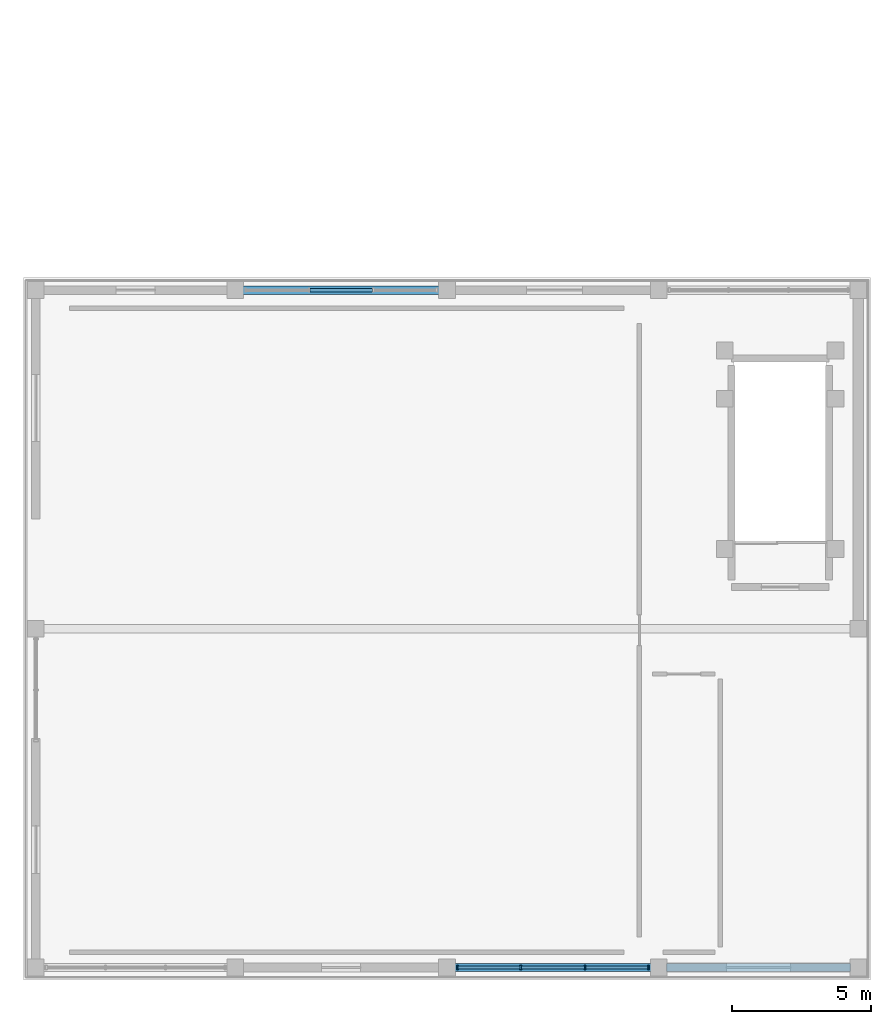
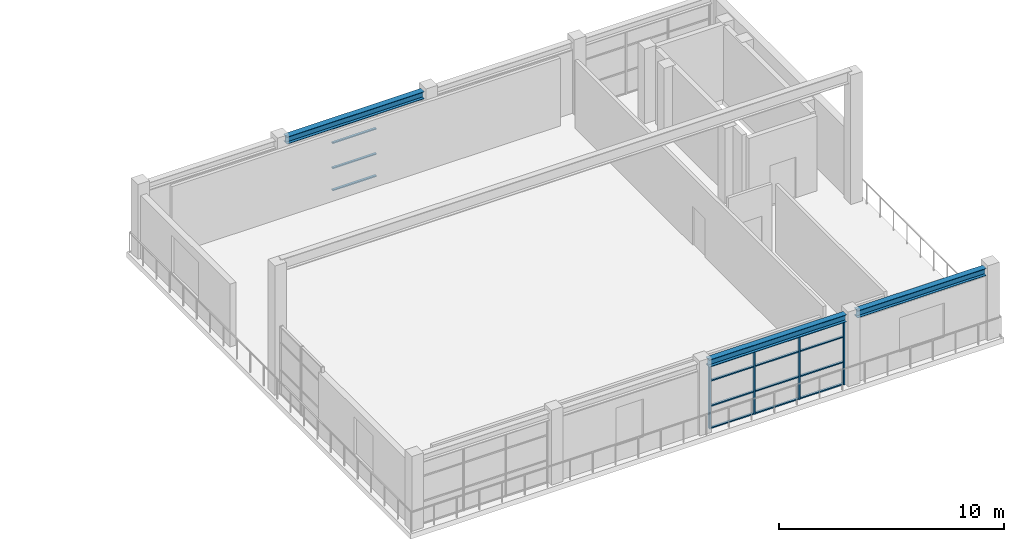
# One storey, part 20 of 87: 20 members, 3 beams, 2 elements without a shape of their own.
"""IFC4 building model written with IfcOpenShell, lengths in metres."""

from ifc_helpers import new_model, si_unit, direction, frame, origin, origin_2d, place, context, subcontext, project, spatial, rectangle, i_section, extrude, material, material_profile, profile_set, type_object, element, aggregate, save


model = new_model("IFC4")

# Units and contexts
model_context = context("Model", 3, precision=1e-05, world=origin(), true_north=direction((0.0, 1.0)))
body_context = subcontext(model_context, "Body", "Model", "MODEL_VIEW")
ifc_project = project(units=[si_unit("LENGTHUNIT", "METRE"), si_unit("AREAUNIT", "SQUARE_METRE"), si_unit("VOLUMEUNIT", "CUBIC_METRE"), si_unit("PLANEANGLEUNIT", "RADIAN"), si_unit("MASSUNIT", "GRAM", prefix="KILO")], contexts=[model_context])

# Site, building, storey
site_placement = place(None, origin())
site = spatial("IfcSite", under=ifc_project, at=site_placement, CompositionType="ELEMENT")
building_placement = place(site_placement, origin())
building = spatial("IfcBuilding", under=site, at=building_placement, Name="Saryqyr Civic Hall", CompositionType="ELEMENT")
storey_placement = place(building_placement, frame((0.0, 0.0, 5.10009765625)))
storey = spatial("IfcBuildingStorey", under=building, at=storey_placement, Name="L01", CompositionType="ELEMENT", Elevation=5.10009765625)

# Curtain wall, members
ifc_material_1 = material(Name="Anodised aluminium and triple low-E glass", Category="aluminium")
curtain_wall_type = type_object("IfcCurtainWallType", Name="ENV-CW-STD-61", PredefinedType="NOTDEFINED", material=ifc_material_1)
curtain_wall_1_placement = place(storey_placement, origin())
curtain_wall_1 = element("IfcCurtainWall", 1, at=curtain_wall_1_placement, inside=storey, type_object=curtain_wall_type, Name="Curtain wall V7E-CW-L01-0-1", PredefinedType="NOTDEFINED")
ifc_material_2 = material(Name="Anodised aluminium", Category="aluminium")
ifc_material_profile_1 = material_profile(ifc_material_2, rectangle(XDim=0.06005859375, YDim=0.159912109375, at=origin_2d()), Name="ALU MULLION 60x160")
ifc_profile_set_1 = profile_set([ifc_material_profile_1], Name="Anodised aluminium")
member_type_1 = type_object("IfcMemberType", Name="ENV-CW-MUL-180", PredefinedType="MULLION", material=ifc_profile_set_1)
member_1_placement = place(storey_placement, frame((106.030029296875, 0.449951171875, 0.0), z_axis=(0.0, 0.0, 1.0), x_axis=(-1.0, 0.0, 0.0)))
member_1 = element("IfcMember", 2, at=member_1_placement, type_object=member_type_1, Name="CW-61 mullion 1", PredefinedType="MULLION", context=body_context, shape_type="SweptSolid", body=[
    extrude(rectangle(XDim=0.06005859375, YDim=0.159912109375, at=origin_2d()), origin(), (0.0, 0.0, 1.0), 3.40478515625),
])
member_2_placement = place(storey_placement, frame((103.75341796875, 0.449951171875, 0.0), z_axis=(0.0, 0.0, 1.0), x_axis=(-1.0, 0.0, 0.0)))
member_2 = element("IfcMember", 3, at=member_2_placement, type_object=member_type_1, Name="CW-61 mullion 2", PredefinedType="MULLION", context=body_context, shape_type="SweptSolid", body=[
    extrude(rectangle(XDim=0.06005859375, YDim=0.159912109375, at=origin_2d()), origin(), (0.0, 0.0, 1.0), 3.40478515625),
])
member_3_placement = place(storey_placement, frame((101.44677734375, 0.449951171875, 0.0), z_axis=(0.0, 0.0, 1.0), x_axis=(-1.0, 0.0, 0.0)))
member_3 = element("IfcMember", 4, at=member_3_placement, type_object=member_type_1, Name="CW-61 mullion 3", PredefinedType="MULLION", context=body_context, shape_type="SweptSolid", body=[
    extrude(rectangle(XDim=0.06005859375, YDim=0.159912109375, at=origin_2d()), origin(), (0.0, 0.0, 1.0), 3.40478515625),
])
member_4_placement = place(storey_placement, frame((99.169921875, 0.449951171875, 0.0), z_axis=(0.0, 0.0, 1.0), x_axis=(-1.0, 0.0, 0.0)))
member_4 = element("IfcMember", 5, at=member_4_placement, type_object=member_type_1, Name="CW-61 mullion 4", PredefinedType="MULLION", context=body_context, shape_type="SweptSolid", body=[
    extrude(rectangle(XDim=0.06005859375, YDim=0.159912109375, at=origin_2d()), origin(), (0.0, 0.0, 1.0), 3.40478515625),
])
ifc_material_profile_2 = material_profile(ifc_material_2, rectangle(XDim=0.1201171875, YDim=0.06005859375, at=origin_2d()), Name="ALU TRANSOM 120x60")
ifc_profile_set_2 = profile_set([ifc_material_profile_2], Name="Anodised aluminium")
member_type_2 = type_object("IfcMemberType", Name="ENV-CW-TRN-150", PredefinedType="USERDEFINED", material=ifc_profile_set_2)
member_5_placement = place(storey_placement, frame((106.0, 0.449951171875, 0.02978515625), z_axis=(-1.0, 0.0, 0.0), x_axis=(0.0, -1.0, 0.0)))
member_5 = element("IfcMember", 6, at=member_5_placement, type_object=member_type_2, Name="CW-61 transom 1.1", ObjectType="TRANSOM", PredefinedType="USERDEFINED", context=body_context, shape_type="SweptSolid", body=[
    extrude(rectangle(XDim=0.1201171875, YDim=0.06005859375, at=origin_2d()), origin(), (0.0, 0.0, 1.0), 2.216552734375),
])
member_6_placement = place(storey_placement, frame((106.0, 0.449951171875, 1.225830078125), z_axis=(-1.0, 0.0, 0.0), x_axis=(0.0, -1.0, 0.0)))
member_6 = element("IfcMember", 7, at=member_6_placement, type_object=member_type_2, Name="CW-61 transom 1.2", ObjectType="TRANSOM", PredefinedType="USERDEFINED", context=body_context, shape_type="SweptSolid", body=[
    extrude(rectangle(XDim=0.1201171875, YDim=0.06005859375, at=origin_2d()), origin(), (0.0, 0.0, 1.0), 2.216552734375),
])
member_7_placement = place(storey_placement, frame((106.0, 0.449951171875, 2.587890625), z_axis=(-1.0, 0.0, 0.0), x_axis=(0.0, -1.0, 0.0)))
member_7 = element("IfcMember", 8, at=member_7_placement, type_object=member_type_2, Name="CW-61 transom 1.3", ObjectType="TRANSOM", PredefinedType="USERDEFINED", context=body_context, shape_type="SweptSolid", body=[
    extrude(rectangle(XDim=0.1201171875, YDim=0.06005859375, at=origin_2d()), origin(), (0.0, 0.0, 1.0), 2.216552734375),
])
member_8_placement = place(storey_placement, frame((106.0, 0.449951171875, 3.375), z_axis=(-1.0, 0.0, 0.0), x_axis=(0.0, -1.0, 0.0)))
member_8 = element("IfcMember", 9, at=member_8_placement, type_object=member_type_2, Name="CW-61 transom 1.4", ObjectType="TRANSOM", PredefinedType="USERDEFINED", context=body_context, shape_type="SweptSolid", body=[
    extrude(rectangle(XDim=0.1201171875, YDim=0.06005859375, at=origin_2d()), origin(), (0.0, 0.0, 1.0), 2.216552734375),
])
member_9_placement = place(storey_placement, frame((103.723388671875, 0.449951171875, 0.02978515625), z_axis=(-1.0, 0.0, 0.0), x_axis=(0.0, -1.0, 0.0)))
member_9 = element("IfcMember", 10, at=member_9_placement, type_object=member_type_2, Name="CW-61 transom 2.1", ObjectType="TRANSOM", PredefinedType="USERDEFINED", context=body_context, shape_type="SweptSolid", body=[
    extrude(rectangle(XDim=0.1201171875, YDim=0.06005859375, at=origin_2d()), origin(), (0.0, 0.0, 1.0), 2.246826171875),
])
member_10_placement = place(storey_placement, frame((103.723388671875, 0.449951171875, 1.225830078125), z_axis=(-1.0, 0.0, 0.0), x_axis=(0.0, -1.0, 0.0)))
member_10 = element("IfcMember", 11, at=member_10_placement, type_object=member_type_2, Name="CW-61 transom 2.2", ObjectType="TRANSOM", PredefinedType="USERDEFINED", context=body_context, shape_type="SweptSolid", body=[
    extrude(rectangle(XDim=0.1201171875, YDim=0.06005859375, at=origin_2d()), origin(), (0.0, 0.0, 1.0), 2.246826171875),
])
member_11_placement = place(storey_placement, frame((103.723388671875, 0.449951171875, 2.587890625), z_axis=(-1.0, 0.0, 0.0), x_axis=(0.0, -1.0, 0.0)))
member_11 = element("IfcMember", 12, at=member_11_placement, type_object=member_type_2, Name="CW-61 transom 2.3", ObjectType="TRANSOM", PredefinedType="USERDEFINED", context=body_context, shape_type="SweptSolid", body=[
    extrude(rectangle(XDim=0.1201171875, YDim=0.06005859375, at=origin_2d()), origin(), (0.0, 0.0, 1.0), 2.246826171875),
])
member_12_placement = place(storey_placement, frame((103.723388671875, 0.449951171875, 3.375), z_axis=(-1.0, 0.0, 0.0), x_axis=(0.0, -1.0, 0.0)))
member_12 = element("IfcMember", 13, at=member_12_placement, type_object=member_type_2, Name="CW-61 transom 2.4", ObjectType="TRANSOM", PredefinedType="USERDEFINED", context=body_context, shape_type="SweptSolid", body=[
    extrude(rectangle(XDim=0.1201171875, YDim=0.06005859375, at=origin_2d()), origin(), (0.0, 0.0, 1.0), 2.246826171875),
])
member_13_placement = place(storey_placement, frame((101.416748046875, 0.449951171875, 0.02978515625), z_axis=(-1.0, 0.0, 0.0), x_axis=(0.0, -1.0, 0.0)))
member_13 = element("IfcMember", 14, at=member_13_placement, type_object=member_type_2, Name="CW-61 transom 3.1", ObjectType="TRANSOM", PredefinedType="USERDEFINED", context=body_context, shape_type="SweptSolid", body=[
    extrude(rectangle(XDim=0.1201171875, YDim=0.06005859375, at=origin_2d()), origin(), (0.0, 0.0, 1.0), 2.216796875),
])
member_14_placement = place(storey_placement, frame((101.416748046875, 0.449951171875, 1.225830078125), z_axis=(-1.0, 0.0, 0.0), x_axis=(0.0, -1.0, 0.0)))
member_14 = element("IfcMember", 15, at=member_14_placement, type_object=member_type_2, Name="CW-61 transom 3.2", ObjectType="TRANSOM", PredefinedType="USERDEFINED", context=body_context, shape_type="SweptSolid", body=[
    extrude(rectangle(XDim=0.1201171875, YDim=0.06005859375, at=origin_2d()), origin(), (0.0, 0.0, 1.0), 2.216796875),
])
member_15_placement = place(storey_placement, frame((101.416748046875, 0.449951171875, 2.587890625), z_axis=(-1.0, 0.0, 0.0), x_axis=(0.0, -1.0, 0.0)))
member_15 = element("IfcMember", 16, at=member_15_placement, type_object=member_type_2, Name="CW-61 transom 3.3", ObjectType="TRANSOM", PredefinedType="USERDEFINED", context=body_context, shape_type="SweptSolid", body=[
    extrude(rectangle(XDim=0.1201171875, YDim=0.06005859375, at=origin_2d()), origin(), (0.0, 0.0, 1.0), 2.216796875),
])
member_16_placement = place(storey_placement, frame((101.416748046875, 0.449951171875, 3.375), z_axis=(-1.0, 0.0, 0.0), x_axis=(0.0, -1.0, 0.0)))
member_16 = element("IfcMember", 17, at=member_16_placement, type_object=member_type_2, Name="CW-61 transom 3.4", ObjectType="TRANSOM", PredefinedType="USERDEFINED", context=body_context, shape_type="SweptSolid", body=[
    extrude(rectangle(XDim=0.1201171875, YDim=0.06005859375, at=origin_2d()), origin(), (0.0, 0.0, 1.0), 2.216796875),
])
aggregate(curtain_wall_1, [member_1, member_2, member_3, member_4, member_5, member_6, member_7, member_8, member_9, member_10, member_11, member_12, member_13, member_14, member_15, member_16])

curtain_wall_2_placement = place(storey_placement, origin())
curtain_wall_2 = element("IfcCurtainWall", 18, at=curtain_wall_2_placement, inside=storey, type_object=curtain_wall_type, Name="Curtain wall V7E-CW-L01-2-1", PredefinedType="NOTDEFINED")
member_17_placement = place(storey_placement, frame((93.876708984375, 24.75, 0.02978515625), z_axis=(1.0, 0.0, 0.0), x_axis=(0.0, 1.0, 0.0)))
member_17 = element("IfcMember", 19, at=member_17_placement, type_object=member_type_2, Name="CW-61 transom 2.1", ObjectType="TRANSOM", PredefinedType="USERDEFINED", context=body_context, shape_type="SweptSolid", body=[
    extrude(rectangle(XDim=0.1201171875, YDim=0.06005859375, at=origin_2d()), origin(), (0.0, 0.0, 1.0), 2.24658203125),
])
member_18_placement = place(storey_placement, frame((93.876708984375, 24.75, 1.225830078125), z_axis=(1.0, 0.0, 0.0), x_axis=(0.0, 1.0, 0.0)))
member_18 = element("IfcMember", 20, at=member_18_placement, type_object=member_type_2, Name="CW-61 transom 2.2", ObjectType="TRANSOM", PredefinedType="USERDEFINED", context=body_context, shape_type="SweptSolid", body=[
    extrude(rectangle(XDim=0.1201171875, YDim=0.06005859375, at=origin_2d()), origin(), (0.0, 0.0, 1.0), 2.24658203125),
])
member_19_placement = place(storey_placement, frame((93.876708984375, 24.75, 2.587890625), z_axis=(1.0, 0.0, 0.0), x_axis=(0.0, 1.0, 0.0)))
member_19 = element("IfcMember", 21, at=member_19_placement, type_object=member_type_2, Name="CW-61 transom 2.3", ObjectType="TRANSOM", PredefinedType="USERDEFINED", context=body_context, shape_type="SweptSolid", body=[
    extrude(rectangle(XDim=0.1201171875, YDim=0.06005859375, at=origin_2d()), origin(), (0.0, 0.0, 1.0), 2.24658203125),
])
member_20_placement = place(storey_placement, frame((93.876708984375, 24.75, 3.375), z_axis=(1.0, 0.0, 0.0), x_axis=(0.0, 1.0, 0.0)))
member_20 = element("IfcMember", 22, at=member_20_placement, type_object=member_type_2, Name="CW-61 transom 2.4", ObjectType="TRANSOM", PredefinedType="USERDEFINED", context=body_context, shape_type="SweptSolid", body=[
    extrude(rectangle(XDim=0.1201171875, YDim=0.06005859375, at=origin_2d()), origin(), (0.0, 0.0, 1.0), 2.24658203125),
])
aggregate(curtain_wall_2, [member_17, member_18, member_19, member_20])

# Beams
ifc_material_3 = material(Name="Steel S355", Category="steel")
ifc_material_profile_3 = material_profile(ifc_material_3, i_section(OverallWidth=0.300048828125, OverallDepth=0.389892578125, WebThickness=0.010986328125, FlangeThickness=0.01904296875, at=origin_2d()), Name="HEA 400")
ifc_profile_set_3 = profile_set([ifc_material_profile_3], Name="Steel S355")
beam_type = type_object("IfcBeamType", Name="STR-BM-HEA400", PredefinedType="BEAM", material=ifc_profile_set_3)
beam_1_placement = place(storey_placement, frame((91.47509765625, 24.75, 3.625), z_axis=(1.0, 0.0, 0.0), x_axis=(0.0, 1.0, 0.0)))
element("IfcBeam", 23, at=beam_1_placement, inside=storey, type_object=beam_type, Name="Beam V7E-EBM-N2", PredefinedType="BEAM", context=body_context, shape_type="SweptSolid", body=[
    extrude(i_section(OverallWidth=0.300048828125, OverallDepth=0.389892578125, WebThickness=0.010986328125, FlangeThickness=0.01904296875, at=origin_2d()), origin(), (0.0, 0.0, 1.0), 7.0498046875),
])
beam_2_placement = place(storey_placement, frame((99.074951171875, 0.449951171875, 3.625), z_axis=(1.0, 0.0, 0.0), x_axis=(0.0, 1.0, 0.0)))
element("IfcBeam", 24, at=beam_2_placement, inside=storey, type_object=beam_type, Name="Beam V7E-EBM-S3", PredefinedType="BEAM", context=body_context, shape_type="SweptSolid", body=[
    extrude(i_section(OverallWidth=0.300048828125, OverallDepth=0.389892578125, WebThickness=0.010986328125, FlangeThickness=0.01904296875, at=origin_2d()), origin(), (0.0, 0.0, 1.0), 7.050048828125),
])
beam_3_placement = place(storey_placement, frame((106.675048828125, 0.449951171875, 3.625), z_axis=(1.0, 0.0, 0.0), x_axis=(0.0, 1.0, 0.0)))
element("IfcBeam", 25, at=beam_3_placement, inside=storey, type_object=beam_type, Name="Beam V7E-EBM-S4", PredefinedType="BEAM", context=body_context, shape_type="SweptSolid", body=[
    extrude(i_section(OverallWidth=0.300048828125, OverallDepth=0.389892578125, WebThickness=0.010986328125, FlangeThickness=0.01904296875, at=origin_2d()), origin(), (0.0, 0.0, 1.0), 6.599853515625),
])

save(model, "model.ifc")
